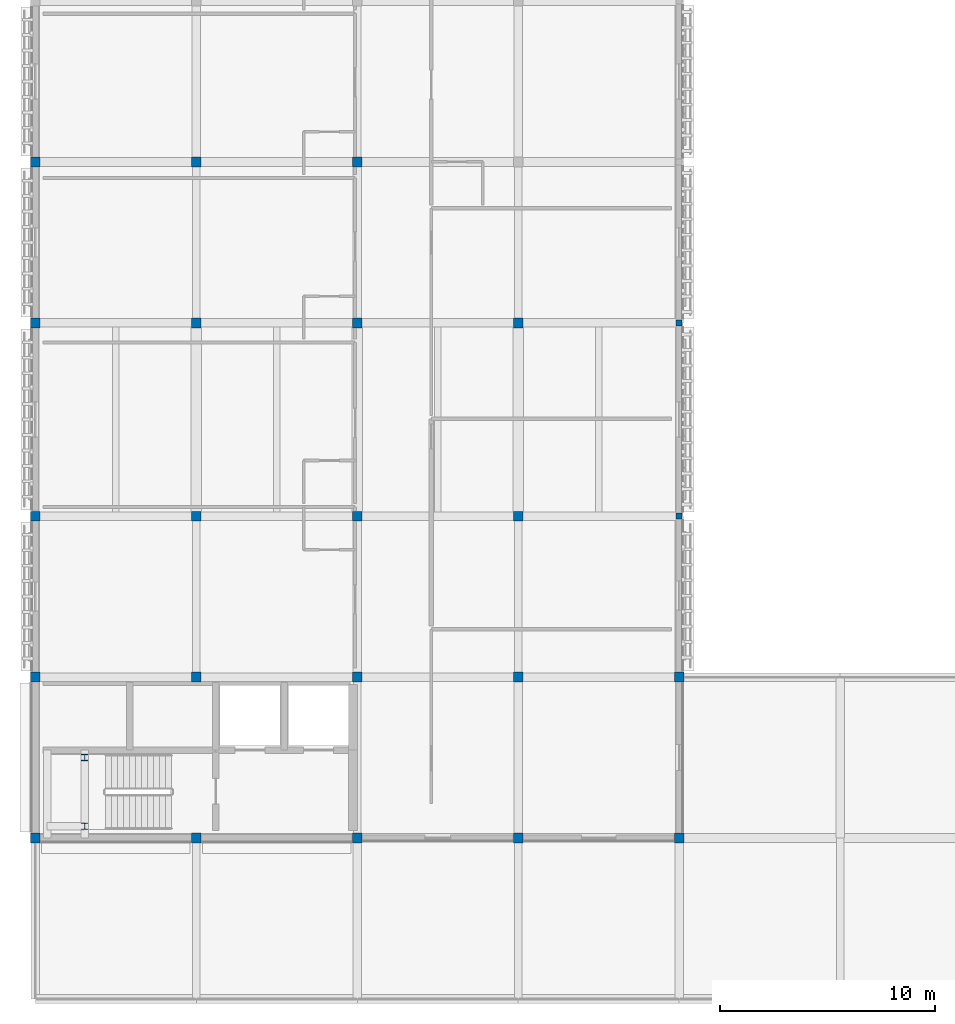
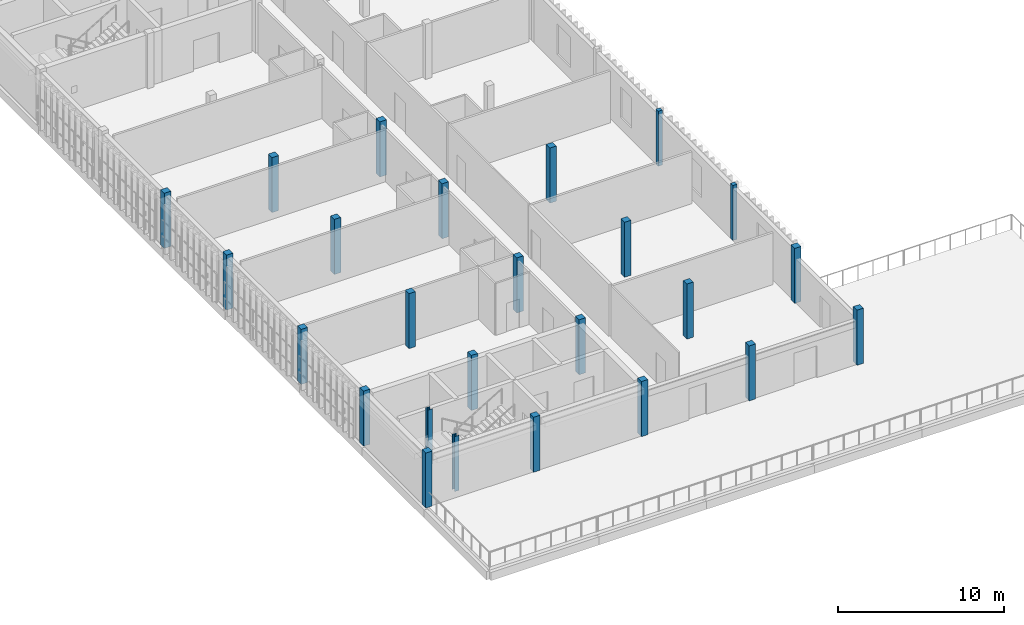
# One storey, part 1 of 13: 25 columns.
"""IFC4 building model written with IfcOpenShell, lengths in metres."""

from ifc_helpers import new_model, si_unit, direction, frame, origin, origin_2d, place, context, subcontext, project, spatial, rectangle, i_section, extrude, material, material_profile, profile_set, type_object, element, save


model = new_model("IFC4")

# Units and contexts
model_context = context("Model", 3, precision=1e-05, world=origin(), true_north=direction((0.0, 1.0)))
body_context = subcontext(model_context, "Body", "Model", "MODEL_VIEW")
ifc_project = project(units=[si_unit("LENGTHUNIT", "METRE"), si_unit("AREAUNIT", "SQUARE_METRE"), si_unit("VOLUMEUNIT", "CUBIC_METRE"), si_unit("PLANEANGLEUNIT", "RADIAN"), si_unit("MASSUNIT", "GRAM", prefix="KILO")], contexts=[model_context])

# Site, building, storey
site_placement = place(None, origin())
site = spatial("IfcSite", under=ifc_project, at=site_placement, CompositionType="ELEMENT")
building_placement = place(site_placement, origin())
building = spatial("IfcBuilding", under=site, at=building_placement, Name="Dalvernix Boulevard General Hospital", CompositionType="ELEMENT")
storey_placement = place(building_placement, frame((0.0, 0.0, 30.0)))
storey = spatial("IfcBuildingStorey", under=building, at=storey_placement, Name="L07", CompositionType="ELEMENT", Elevation=30.0)

# Columns
ifc_material_1 = material(Name="Concrete C40/50", Category="concrete")
ifc_material_profile_1 = material_profile(ifc_material_1, rectangle(XDim=0.449951171875, YDim=0.449951171875, at=origin_2d()), Name="RC 450x450")
ifc_profile_set_1 = profile_set([ifc_material_profile_1], Name="Concrete C40/50")
column_type_1 = type_object("IfcColumnType", Name="COL-C-10-E", PredefinedType="COLUMN", material=ifc_profile_set_1)
for number, where, z_axis, x_axis, name in (
    (1, (0.0, 7.5, 0.0), (0.0, 0.0, 1.0), (1.0, 0.0, 0.0), "L07 column 1B"),
    (2, (0.0, 15.0, 0.0), (0.0, 0.0, 1.0), (1.0, 0.0, 0.0), "L07 column 1C"),
    (3, (0.0, 22.5, 0.0), (0.0, 0.0, 1.0), (1.0, 0.0, 0.0), "L07 column 1D"),
    (4, (0.0, 31.5, 0.0), (0.0, 0.0, 1.0), (1.0, 0.0, 0.0), "L07 column 1E"),
    (5, (0.0, 39.0, 0.0), (0.0, 0.0, 1.0), (1.0, 0.0, 0.0), "L07 column 1F"),
    (6, (7.5, 7.5, 0.0), (0.0, 0.0, 1.0), (1.0, 0.0, 0.0), "L07 column 2B"),
    (7, (15.0, 7.5, 0.0), (0.0, 0.0, 1.0), (1.0, 0.0, 0.0), "L07 column 3B"),
    (8, (22.5, 7.5, 0.0), (0.0, 0.0, 1.0), (1.0, 0.0, 0.0), "L07 column 4B"),
    (9, (30.0, 7.5, 0.0), (0.0, 0.0, 1.0), (1.0, 0.0, 0.0), "L07 column 5B"),
    (10, (30.0, 15.0, 0.0), (0.0, 0.0, 1.0), (1.0, 0.0, 0.0), "L07 column 5C"),
):
    element("IfcColumn", number, at=place(storey_placement, frame(where, z_axis=z_axis, x_axis=x_axis)), inside=storey, type_object=column_type_1, Name=name, PredefinedType="COLUMN", context=body_context, shape_type="SweptSolid", body=[
        extrude(rectangle(XDim=0.449951171875, YDim=0.449951171875, at=origin_2d()), origin(), (0.0, 0.0, 1.0), 4.050048828125),
    ])
ifc_material_profile_2 = material_profile(ifc_material_1, rectangle(XDim=0.449951171875, YDim=0.449951171875, at=origin_2d()), Name="RC 450x450")
ifc_profile_set_2 = profile_set([ifc_material_profile_2], Name="Concrete C40/50")
column_type_2 = type_object("IfcColumnType", Name="COL-C-10-I", PredefinedType="COLUMN", material=ifc_profile_set_2)
for number, where, z_axis, x_axis, name in (
    (11, (7.5, 15.0, 0.0), (0.0, 0.0, 1.0), (1.0, 0.0, 0.0), "L07 column 2C"),
    (12, (7.5, 22.5, 0.0), (0.0, 0.0, 1.0), (1.0, 0.0, 0.0), "L07 column 2D"),
    (13, (7.5, 31.5, 0.0), (0.0, 0.0, 1.0), (1.0, 0.0, 0.0), "L07 column 2E"),
    (14, (7.5, 39.0, 0.0), (0.0, 0.0, 1.0), (1.0, 0.0, 0.0), "L07 column 2F"),
    (15, (15.0, 15.0, 0.0), (0.0, 0.0, 1.0), (1.0, 0.0, 0.0), "L07 column 3C"),
    (16, (15.0, 22.5, 0.0), (0.0, 0.0, 1.0), (1.0, 0.0, 0.0), "L07 column 3D"),
    (17, (15.0, 31.5, 0.0), (0.0, 0.0, 1.0), (1.0, 0.0, 0.0), "L07 column 3E"),
    (18, (15.0, 39.0, 0.0), (0.0, 0.0, 1.0), (1.0, 0.0, 0.0), "L07 column 3F"),
    (19, (22.5, 15.0, 0.0), (0.0, 0.0, 1.0), (1.0, 0.0, 0.0), "L07 column 4C"),
    (20, (22.5, 22.5, 0.0), (0.0, 0.0, 1.0), (1.0, 0.0, 0.0), "L07 column 4D"),
    (21, (22.5, 31.5, 0.0), (0.0, 0.0, 1.0), (1.0, 0.0, 0.0), "L07 column 4E"),
):
    element("IfcColumn", number, at=place(storey_placement, frame(where, z_axis=z_axis, x_axis=x_axis)), inside=storey, type_object=column_type_2, Name=name, PredefinedType="COLUMN", context=body_context, shape_type="SweptSolid", body=[
        extrude(rectangle(XDim=0.449951171875, YDim=0.449951171875, at=origin_2d()), origin(), (0.0, 0.0, 1.0), 4.050048828125),
    ])
ifc_material_2 = material(Name="Steel S355", Category="steel")
ifc_material_profile_3 = material_profile(ifc_material_2, i_section(OverallWidth=0.300048828125, OverallDepth=0.300048828125, WebThickness=0.010986328125, FlangeThickness=0.01904296875, FilletRadius=0.027099609375, at=origin_2d()), Name="HEB 300")
ifc_profile_set_3 = profile_set([ifc_material_profile_3], Name="Steel S355")
column_type_3 = type_object("IfcColumnType", Name="COL-C-18", PredefinedType="COLUMN", material=ifc_profile_set_3)
for number, where, z_axis, x_axis, name in (
    (22, (2.300048828125, 8.050048828125, 0.0), (0.0, 0.0, 1.0), (1.0, 0.0, 0.0), "L07 Core C1 stair landing column 1"),
    (23, (2.300048828125, 11.25, 0.0), (0.0, 0.0, 1.0), (1.0, 0.0, 0.0), "L07 Core C1 stair landing column 2"),
):
    element("IfcColumn", number, at=place(storey_placement, frame(where, z_axis=z_axis, x_axis=x_axis)), inside=storey, type_object=column_type_3, Name=name, PredefinedType="COLUMN", context=body_context, shape_type="SweptSolid", body=[
        extrude(i_section(OverallWidth=0.300048828125, OverallDepth=0.300048828125, WebThickness=0.010986328125, FlangeThickness=0.01904296875, FilletRadius=0.027099609375, at=origin_2d()), origin(), (0.0, 0.0, 1.0), 4.050048828125),
    ])
ifc_material_3 = material(Name="Glulam GL28h", Category="wood")
ifc_material_profile_4 = material_profile(ifc_material_3, rectangle(XDim=0.280029296875, YDim=0.280029296875, at=origin_2d()), Name="GL28h 280x280")
ifc_profile_set_4 = profile_set([ifc_material_profile_4], Name="Glulam GL28h")
column_type_4 = type_object("IfcColumnType", Name="COL-C-21-E", PredefinedType="COLUMN", material=ifc_profile_set_4)
for number, where, z_axis, x_axis, name in (
    (24, (30.0, 22.5, 0.0), (0.0, 0.0, 1.0), (1.0, 0.0, 0.0), "L07 column 5D"),
    (25, (30.0, 31.5, 0.0), (0.0, 0.0, 1.0), (1.0, 0.0, 0.0), "L07 column 5E"),
):
    element("IfcColumn", number, at=place(storey_placement, frame(where, z_axis=z_axis, x_axis=x_axis)), inside=storey, type_object=column_type_4, Name=name, PredefinedType="COLUMN", context=body_context, shape_type="SweptSolid", body=[
        extrude(rectangle(XDim=0.280029296875, YDim=0.280029296875, at=origin_2d()), origin(), (0.0, 0.0, 1.0), 4.050048828125),
    ])

save(model, "model.ifc")
